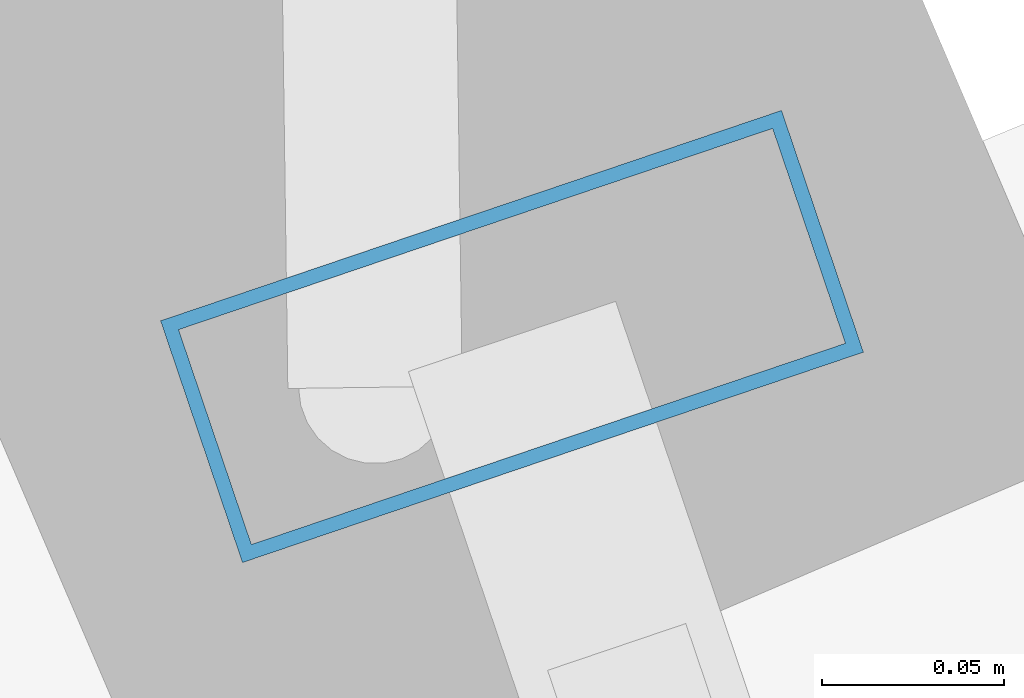
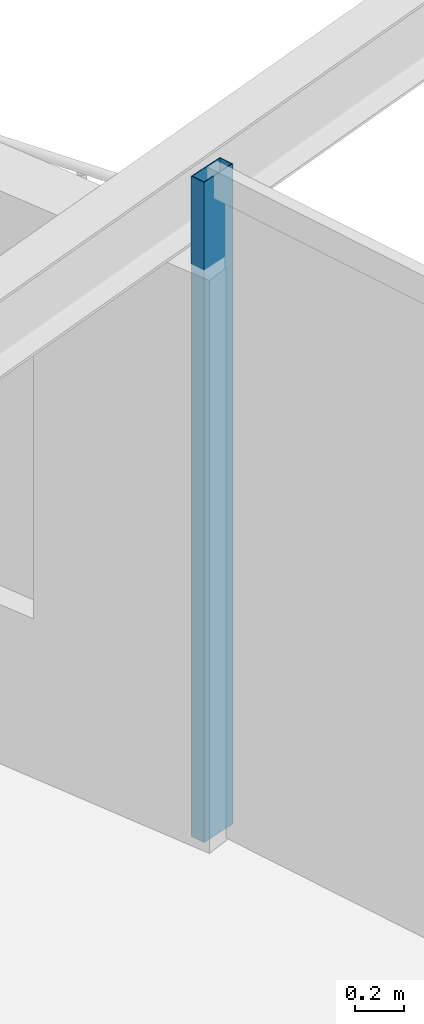
# One storey, part 8 of 17: 1 member, 1 element without a shape of its own.
"""IFC4 building model written with IfcOpenShell, lengths in metres."""

from ifc_helpers import new_model, si_unit, direction, frame, origin, origin_2d, place, context, subcontext, project, spatial, hollow_rectangle, extrude, material, layer, layer_set, material_profile, profile_set, type_object, element, aggregate, save


model = new_model("IFC4")

# Units and contexts
model_context = context("Model", 3, precision=1e-05, world=origin(), true_north=direction((0.0, 1.0)))
body_context = subcontext(model_context, "Body", "Model", "MODEL_VIEW")
ifc_project = project(units=[si_unit("LENGTHUNIT", "METRE"), si_unit("AREAUNIT", "SQUARE_METRE"), si_unit("VOLUMEUNIT", "CUBIC_METRE"), si_unit("PLANEANGLEUNIT", "RADIAN"), si_unit("MASSUNIT", "GRAM", prefix="KILO")], contexts=[model_context])

# Site, building, storey
site_placement = place(None, origin())
site = spatial("IfcSite", under=ifc_project, at=site_placement, CompositionType="ELEMENT")
building_placement = place(site_placement, origin())
building = spatial("IfcBuilding", under=site, at=building_placement, Name="Veldorina Hangang Commons", CompositionType="ELEMENT")
storey_placement = place(building_placement, frame((0.0, 0.0, 214.800048828125)))
storey = spatial("IfcBuildingStorey", under=building, at=storey_placement, Name="L55", CompositionType="ELEMENT", Elevation=214.800048828125)

# Curtain wall, member
ifc_material_1 = material(Name="Glass Low-E Selective", Category="glass")
ifc_layer = layer(ifc_material_1, 0.179931640625)
ifc_layer_set = layer_set([ifc_layer], Name="Glass Low-E Selective")
curtain_wall_type = type_object("IfcCurtainWallType", Name="CW-SYS-Z3", PredefinedType="NOTDEFINED", material=ifc_layer_set)
curtain_wall_placement = place(storey_placement, origin())
curtain_wall = element("IfcCurtainWall", 1, at=curtain_wall_placement, inside=storey, type_object=curtain_wall_type, Name="L55 unitised curtain wall CW-L55-R2", PredefinedType="NOTDEFINED")
ifc_material_2 = material(Name="Aluminium Anodized AA6063-T6", Category="aluminium")
ifc_material_profile = material_profile(ifc_material_2, hollow_rectangle(XDim=0.070068359375, YDim=0.179931640625, WallThickness=0.00390625, at=origin_2d()), Name="ALU-RHS-180x70x4")
ifc_profile_set = profile_set([ifc_material_profile], Name="Aluminium Anodized AA6063-T6")
member_type = type_object("IfcMemberType", Name="CW-MUL-180", PredefinedType="MULLION", material=ifc_profile_set)
member_placement = place(storey_placement, frame((53.31396484375, 31.90576171875, 0.0), z_axis=(0.0, 0.0, 1.0), x_axis=(0.320827897526, -0.947137508585, 0.0)))
member = element("IfcMember", 2, at=member_placement, type_object=member_type, Name="CW-L55-R2 vertical mullion 5", PredefinedType="MULLION", context=body_context, shape_type="SweptSolid", body=[
    extrude(hollow_rectangle(XDim=0.070068359375, YDim=0.179931640625, WallThickness=0.00390625, at=origin_2d()), origin(), (0.0, 0.0, 1.0), 3.320068359375),
])
aggregate(curtain_wall, [member])

save(model, "model.ifc")
